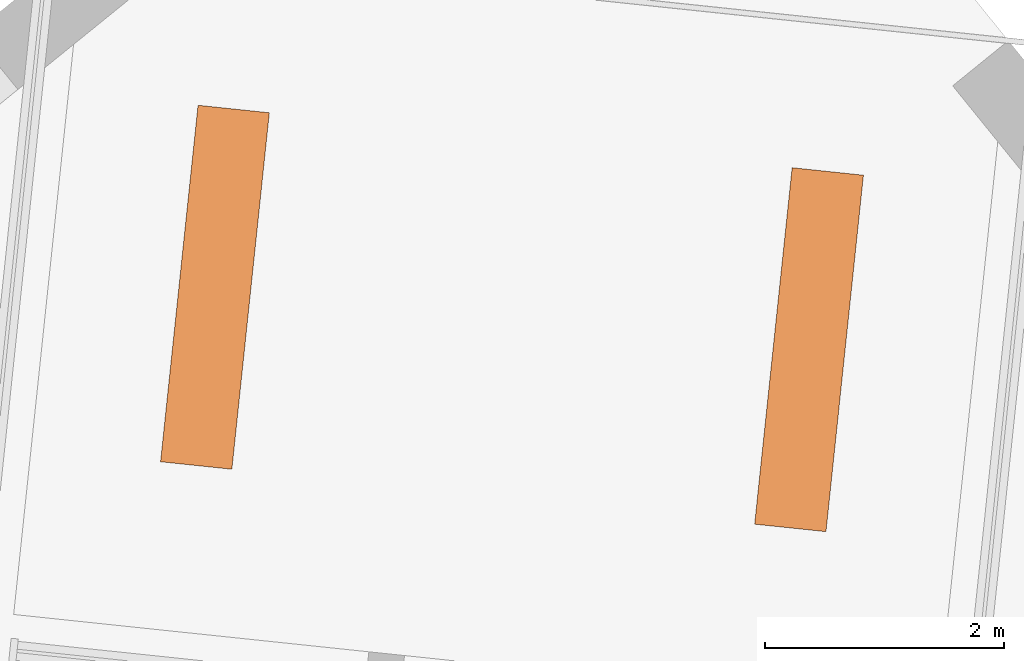
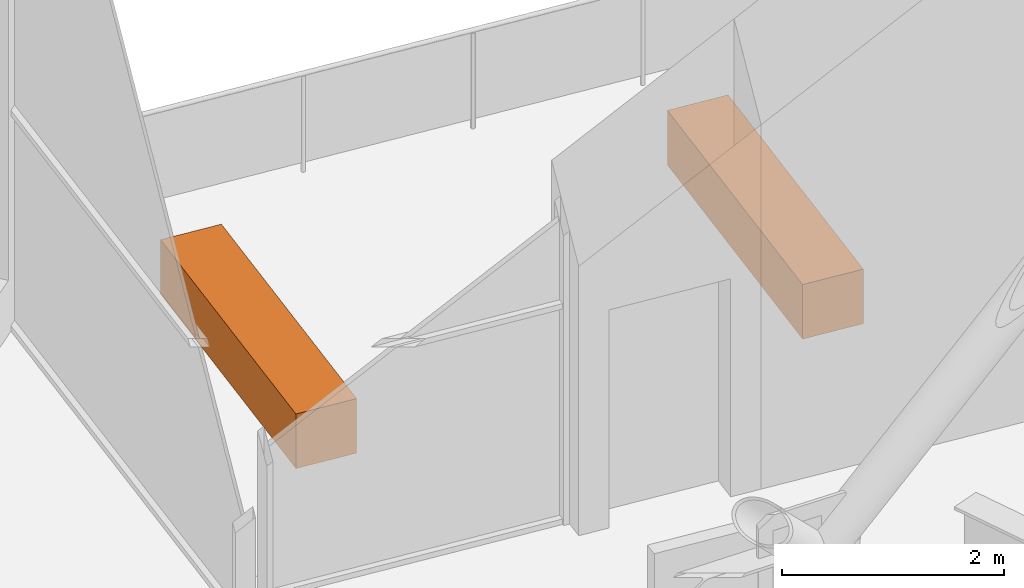
# One storey, part 17 of 17: 2 proxies.
"""IFC4 building model written with IfcOpenShell, lengths in metres."""

from ifc_helpers import new_model, si_unit, direction, frame, origin, origin_2d, place, context, subcontext, project, spatial, rectangle, extrude, element, save


model = new_model("IFC4")

# Units and contexts
model_context = context("Model", 3, precision=1e-05, world=origin(), true_north=direction((0.0, 1.0)))
body_context = subcontext(model_context, "Body", "Model", "MODEL_VIEW")
ifc_project = project(units=[si_unit("LENGTHUNIT", "METRE"), si_unit("AREAUNIT", "SQUARE_METRE"), si_unit("VOLUMEUNIT", "CUBIC_METRE"), si_unit("PLANEANGLEUNIT", "RADIAN"), si_unit("MASSUNIT", "GRAM", prefix="KILO")], contexts=[model_context])

# Site, building, storey
site_placement = place(None, origin())
site = spatial("IfcSite", under=ifc_project, at=site_placement, CompositionType="ELEMENT")
building_placement = place(site_placement, origin())
building = spatial("IfcBuilding", under=site, at=building_placement, Name="Dilmun Exchange Tower", CompositionType="ELEMENT")
storey_placement = place(building_placement, frame((0.0, 0.0, 183.699951171875)))
storey = spatial("IfcBuildingStorey", under=building, at=storey_placement, Name="L43", CompositionType="ELEMENT", Elevation=183.699951171875)

# Proxies
for number, where, z_axis, x_axis, name in (
    (1, (8.492919921875, 32.535888671875, 0.0), (0.0, 0.0, 1.0), (0.104528463268, 0.994521895368, 0.0), "PLANTER Date palm L43.1"),
    (2, (3.5205078125, 33.058349609375, 0.0), (0.0, 0.0, 1.0), (0.104528463268, 0.994521895368, 0.0), "PLANTER Date palm L43.2"),
):
    element("IfcBuildingElementProxy", number, at=place(storey_placement, frame(where, z_axis=z_axis, x_axis=x_axis)), inside=storey, Name=name, ObjectType="PLANTER", PredefinedType="USERDEFINED", context=body_context, shape_type="SweptSolid", body=[
        extrude(rectangle(XDim=3.0, YDim=0.60009765625, at=origin_2d()), origin(), (0.0, 0.0, 1.0), 0.60009765625),
    ])

save(model, "model.ifc")
